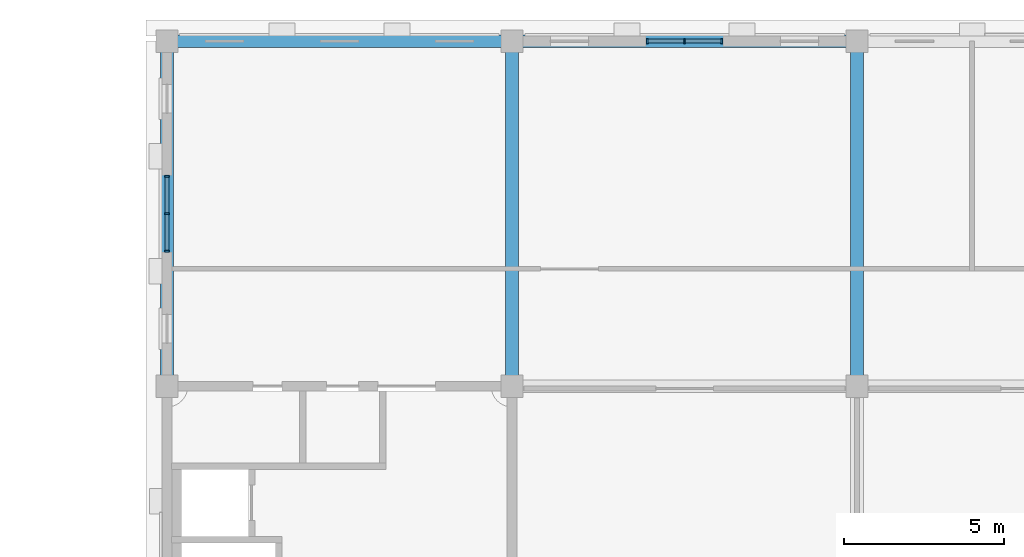
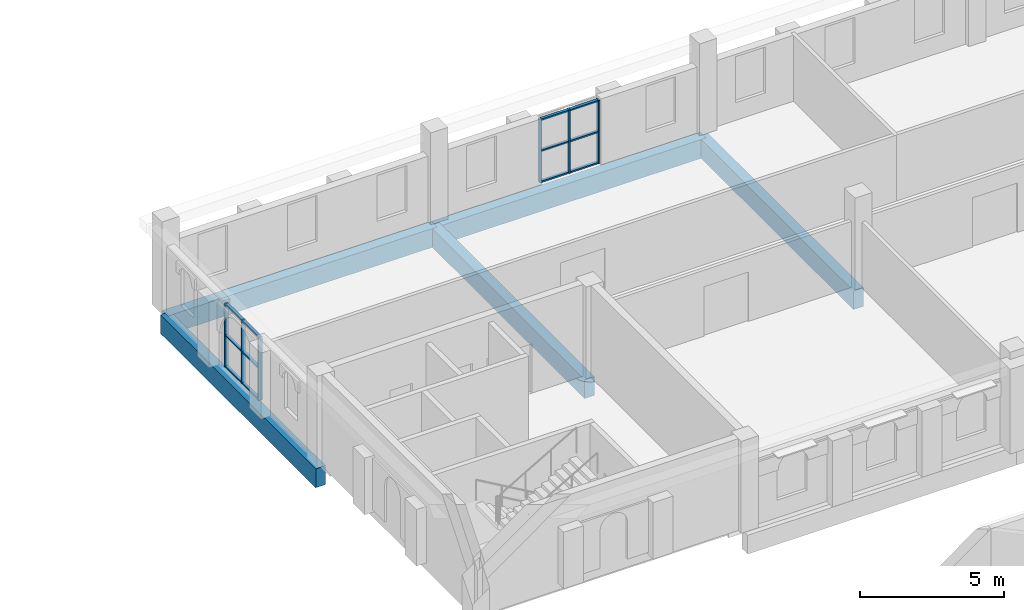
# One storey, part 8 of 32: 18 members, 5 beams, 2 elements without a shape of their own.
"""IFC4 building model written with IfcOpenShell, lengths in metres."""

from ifc_helpers import new_model, si_unit, direction, frame, origin, origin_2d, place, context, subcontext, project, spatial, rectangle, extrude, material, layer, layer_set, material_profile, profile_set, type_object, element, aggregate, save


model = new_model("IFC4")

# Units and contexts
model_context = context("Model", 3, precision=1e-05, world=origin(), true_north=direction((0.0, 1.0)))
body_context = subcontext(model_context, "Body", "Model", "MODEL_VIEW")
ifc_project = project(units=[si_unit("LENGTHUNIT", "METRE"), si_unit("AREAUNIT", "SQUARE_METRE"), si_unit("VOLUMEUNIT", "CUBIC_METRE"), si_unit("PLANEANGLEUNIT", "RADIAN"), si_unit("MASSUNIT", "GRAM", prefix="KILO")], contexts=[model_context])

# Site, building, storey
site_placement = place(None, origin())
site = spatial("IfcSite", under=ifc_project, at=site_placement, CompositionType="ELEMENT")
building_placement = place(site_placement, origin())
building = spatial("IfcBuilding", under=site, at=building_placement, Name="Magnolia Steps Interchange", CompositionType="ELEMENT")
storey_placement = place(building_placement, frame((0.0, 0.0, 16.5)))
storey = spatial("IfcBuildingStorey", under=building, at=storey_placement, Name="L04", CompositionType="ELEMENT", Elevation=16.5)

# Curtain wall, members
ifc_material_1 = material(Name="Powder-coated aluminium and glass", Category="aluminium")
ifc_layer = layer(ifc_material_1, 0.199951171875)
ifc_layer_set = layer_set([ifc_layer], Name="Glazed central bay curtain wall")
curtain_wall_type = type_object("IfcCurtainWallType", Name="Glazed central bay curtain wall", PredefinedType="NOTDEFINED", material=ifc_layer_set)
curtain_wall_1_placement = place(storey_placement, origin())
curtain_wall_1 = element("IfcCurtainWall", 1, at=curtain_wall_1_placement, inside=storey, type_object=curtain_wall_type, Name="Operations building north wall L04 glazing 2", PredefinedType="NOTDEFINED")
ifc_material_2 = material(Name="White powder-coated aluminium", Category="aluminium")
ifc_material_profile_1 = material_profile(ifc_material_2, rectangle(XDim=0.06005859375, YDim=0.14990234375, at=origin_2d()), Name="Aluminium mullion 60 x 150")
ifc_profile_set_1 = profile_set([ifc_material_profile_1], Name="White powder-coated aluminium")
member_type_1 = type_object("IfcMemberType", Name="Aluminium mullion 60 x 150", PredefinedType="MULLION", material=ifc_profile_set_1)
member_1_placement = place(storey_placement, frame((79.030029296875, 118.0, 0.0), z_axis=(0.0, 0.0, 1.0), x_axis=(1.0, 0.0, 0.0)))
member_1 = element("IfcMember", 2, at=member_1_placement, type_object=member_type_1, Name="CW2 mullion 1", PredefinedType="MULLION", context=body_context, shape_type="SweptSolid", body=[
    extrude(rectangle(XDim=0.06005859375, YDim=0.14990234375, at=origin_2d()), origin(), (0.0, 0.0, 1.0), 2.699951171875),
])
member_2_placement = place(storey_placement, frame((80.199951171875, 118.0, 0.0), z_axis=(0.0, 0.0, 1.0), x_axis=(1.0, 0.0, 0.0)))
member_2 = element("IfcMember", 3, at=member_2_placement, type_object=member_type_1, Name="CW2 mullion 2", PredefinedType="MULLION", context=body_context, shape_type="SweptSolid", body=[
    extrude(rectangle(XDim=0.06005859375, YDim=0.14990234375, at=origin_2d()), origin(), (0.0, 0.0, 1.0), 2.699951171875),
])
member_3_placement = place(storey_placement, frame((81.3701171875, 118.0, 0.0), z_axis=(0.0, 0.0, 1.0), x_axis=(1.0, 0.0, 0.0)))
member_3 = element("IfcMember", 4, at=member_3_placement, type_object=member_type_1, Name="CW2 mullion 3", PredefinedType="MULLION", context=body_context, shape_type="SweptSolid", body=[
    extrude(rectangle(XDim=0.06005859375, YDim=0.14990234375, at=origin_2d()), origin(), (0.0, 0.0, 1.0), 2.699951171875),
])

curtain_wall_2_placement = place(storey_placement, origin())
curtain_wall_2 = element("IfcCurtainWall", 5, at=curtain_wall_2_placement, inside=storey, type_object=curtain_wall_type, Name="Operations building west wall L04 glazing 2", PredefinedType="NOTDEFINED")
member_4_placement = place(storey_placement, frame((64.0, 111.429931640625, 0.0), z_axis=(0.0, 0.0, 1.0), x_axis=(0.0, 1.0, 0.0)))
member_4 = element("IfcMember", 6, at=member_4_placement, type_object=member_type_1, Name="CW2 mullion 1", PredefinedType="MULLION", context=body_context, shape_type="SweptSolid", body=[
    extrude(rectangle(XDim=0.06005859375, YDim=0.14990234375, at=origin_2d()), origin(), (0.0, 0.0, 1.0), 2.699951171875),
])
member_5_placement = place(storey_placement, frame((64.0, 112.60009765625, 0.0), z_axis=(0.0, 0.0, 1.0), x_axis=(0.0, 1.0, 0.0)))
member_5 = element("IfcMember", 7, at=member_5_placement, type_object=member_type_1, Name="CW2 mullion 2", PredefinedType="MULLION", context=body_context, shape_type="SweptSolid", body=[
    extrude(rectangle(XDim=0.06005859375, YDim=0.14990234375, at=origin_2d()), origin(), (0.0, 0.0, 1.0), 2.699951171875),
])
member_6_placement = place(storey_placement, frame((64.0, 113.77001953125, 0.0), z_axis=(0.0, 0.0, 1.0), x_axis=(0.0, 1.0, 0.0)))
member_6 = element("IfcMember", 8, at=member_6_placement, type_object=member_type_1, Name="CW2 mullion 3", PredefinedType="MULLION", context=body_context, shape_type="SweptSolid", body=[
    extrude(rectangle(XDim=0.06005859375, YDim=0.14990234375, at=origin_2d()), origin(), (0.0, 0.0, 1.0), 2.699951171875),
])

# Member
ifc_material_3 = material(Name="White powder-coated aluminium", Category="aluminium")
ifc_material_profile_2 = material_profile(ifc_material_3, rectangle(XDim=0.06005859375, YDim=0.1201171875, at=origin_2d()), Name="Aluminium transom 60 x 120")
ifc_profile_set_2 = profile_set([ifc_material_profile_2], Name="White powder-coated aluminium")
member_type_2 = type_object("IfcMemberType", Name="Aluminium transom 60 x 120", PredefinedType="USERDEFINED", material=ifc_profile_set_2)
member_7_placement = place(storey_placement, frame((79.06005859375, 118.0, 0.030029296875), z_axis=(1.0, 0.0, 0.0), x_axis=(0.0, 0.0, 1.0)))
member_7 = element("IfcMember", 9, at=member_7_placement, type_object=member_type_2, Name="CW2 transom 1.1", ObjectType="TRANSOM", PredefinedType="USERDEFINED", context=body_context, shape_type="SweptSolid", body=[
    extrude(rectangle(XDim=0.06005859375, YDim=0.1201171875, at=origin_2d()), origin(), (0.0, 0.0, 1.0), 1.10986328125),
])

member_8_placement = place(storey_placement, frame((79.06005859375, 118.0, 1.35009765625), z_axis=(1.0, 0.0, 0.0), x_axis=(0.0, 0.0, 1.0)))
member_8 = element("IfcMember", 10, at=member_8_placement, type_object=member_type_2, Name="CW2 transom 1.2", ObjectType="TRANSOM", PredefinedType="USERDEFINED", context=body_context, shape_type="SweptSolid", body=[
    extrude(rectangle(XDim=0.06005859375, YDim=0.1201171875, at=origin_2d()), origin(), (0.0, 0.0, 1.0), 1.10986328125),
])

member_9_placement = place(storey_placement, frame((79.06005859375, 118.0, 2.669921875), z_axis=(1.0, 0.0, 0.0), x_axis=(0.0, 0.0, 1.0)))
member_9 = element("IfcMember", 11, at=member_9_placement, type_object=member_type_2, Name="CW2 transom 1.3", ObjectType="TRANSOM", PredefinedType="USERDEFINED", context=body_context, shape_type="SweptSolid", body=[
    extrude(rectangle(XDim=0.06005859375, YDim=0.1201171875, at=origin_2d()), origin(), (0.0, 0.0, 1.0), 1.10986328125),
])

member_10_placement = place(storey_placement, frame((80.22998046875, 118.0, 0.030029296875), z_axis=(1.0, 0.0, 0.0), x_axis=(0.0, 0.0, 1.0)))
member_10 = element("IfcMember", 12, at=member_10_placement, type_object=member_type_2, Name="CW2 transom 2.1", ObjectType="TRANSOM", PredefinedType="USERDEFINED", context=body_context, shape_type="SweptSolid", body=[
    extrude(rectangle(XDim=0.06005859375, YDim=0.1201171875, at=origin_2d()), origin(), (0.0, 0.0, 1.0), 1.110107421875),
])

member_11_placement = place(storey_placement, frame((80.22998046875, 118.0, 1.35009765625), z_axis=(1.0, 0.0, 0.0), x_axis=(0.0, 0.0, 1.0)))
member_11 = element("IfcMember", 13, at=member_11_placement, type_object=member_type_2, Name="CW2 transom 2.2", ObjectType="TRANSOM", PredefinedType="USERDEFINED", context=body_context, shape_type="SweptSolid", body=[
    extrude(rectangle(XDim=0.06005859375, YDim=0.1201171875, at=origin_2d()), origin(), (0.0, 0.0, 1.0), 1.110107421875),
])

member_12_placement = place(storey_placement, frame((80.22998046875, 118.0, 2.669921875), z_axis=(1.0, 0.0, 0.0), x_axis=(0.0, 0.0, 1.0)))
member_12 = element("IfcMember", 14, at=member_12_placement, type_object=member_type_2, Name="CW2 transom 2.3", ObjectType="TRANSOM", PredefinedType="USERDEFINED", context=body_context, shape_type="SweptSolid", body=[
    extrude(rectangle(XDim=0.06005859375, YDim=0.1201171875, at=origin_2d()), origin(), (0.0, 0.0, 1.0), 1.110107421875),
])

aggregate(curtain_wall_1, [member_1, member_2, member_3, member_7, member_8, member_9, member_10, member_11, member_12])

member_13_placement = place(storey_placement, frame((64.0, 111.4599609375, 0.030029296875), z_axis=(0.0, 1.0, 0.0), x_axis=(0.0, 0.0, 1.0)))
member_13 = element("IfcMember", 15, at=member_13_placement, type_object=member_type_2, Name="CW2 transom 1.1", ObjectType="TRANSOM", PredefinedType="USERDEFINED", context=body_context, shape_type="SweptSolid", body=[
    extrude(rectangle(XDim=0.06005859375, YDim=0.1201171875, at=origin_2d()), origin(), (0.0, 0.0, 1.0), 1.110107421875),
])

member_14_placement = place(storey_placement, frame((64.0, 111.4599609375, 1.35009765625), z_axis=(0.0, 1.0, 0.0), x_axis=(0.0, 0.0, 1.0)))
member_14 = element("IfcMember", 16, at=member_14_placement, type_object=member_type_2, Name="CW2 transom 1.2", ObjectType="TRANSOM", PredefinedType="USERDEFINED", context=body_context, shape_type="SweptSolid", body=[
    extrude(rectangle(XDim=0.06005859375, YDim=0.1201171875, at=origin_2d()), origin(), (0.0, 0.0, 1.0), 1.110107421875),
])

member_15_placement = place(storey_placement, frame((64.0, 111.4599609375, 2.669921875), z_axis=(0.0, 1.0, 0.0), x_axis=(0.0, 0.0, 1.0)))
member_15 = element("IfcMember", 17, at=member_15_placement, type_object=member_type_2, Name="CW2 transom 1.3", ObjectType="TRANSOM", PredefinedType="USERDEFINED", context=body_context, shape_type="SweptSolid", body=[
    extrude(rectangle(XDim=0.06005859375, YDim=0.1201171875, at=origin_2d()), origin(), (0.0, 0.0, 1.0), 1.110107421875),
])

member_16_placement = place(storey_placement, frame((64.0, 112.6298828125, 0.030029296875), z_axis=(0.0, 1.0, 0.0), x_axis=(0.0, 0.0, 1.0)))
member_16 = element("IfcMember", 18, at=member_16_placement, type_object=member_type_2, Name="CW2 transom 2.1", ObjectType="TRANSOM", PredefinedType="USERDEFINED", context=body_context, shape_type="SweptSolid", body=[
    extrude(rectangle(XDim=0.06005859375, YDim=0.1201171875, at=origin_2d()), origin(), (0.0, 0.0, 1.0), 1.110107421875),
])

member_17_placement = place(storey_placement, frame((64.0, 112.6298828125, 1.35009765625), z_axis=(0.0, 1.0, 0.0), x_axis=(0.0, 0.0, 1.0)))
member_17 = element("IfcMember", 19, at=member_17_placement, type_object=member_type_2, Name="CW2 transom 2.2", ObjectType="TRANSOM", PredefinedType="USERDEFINED", context=body_context, shape_type="SweptSolid", body=[
    extrude(rectangle(XDim=0.06005859375, YDim=0.1201171875, at=origin_2d()), origin(), (0.0, 0.0, 1.0), 1.110107421875),
])

member_18_placement = place(storey_placement, frame((64.0, 112.6298828125, 2.669921875), z_axis=(0.0, 1.0, 0.0), x_axis=(0.0, 0.0, 1.0)))
member_18 = element("IfcMember", 20, at=member_18_placement, type_object=member_type_2, Name="CW2 transom 2.3", ObjectType="TRANSOM", PredefinedType="USERDEFINED", context=body_context, shape_type="SweptSolid", body=[
    extrude(rectangle(XDim=0.06005859375, YDim=0.1201171875, at=origin_2d()), origin(), (0.0, 0.0, 1.0), 1.110107421875),
])

aggregate(curtain_wall_2, [member_4, member_5, member_6, member_13, member_14, member_15, member_16, member_17, member_18])

# Beams
ifc_material_4 = material(Name="Concrete C40", Category="concrete")
ifc_material_profile_3 = material_profile(ifc_material_4, rectangle(XDim=0.39990234375, YDim=0.800048828125, at=origin_2d()), Name="RC400x800")
ifc_profile_set_3 = profile_set([ifc_material_profile_3], Name="Concrete C40")
beam_type = type_object("IfcBeamType", Name="RC beam 400x800", PredefinedType="BEAM", material=ifc_profile_set_3)
for number, where, z_axis, x_axis, name in (
    (21, (64.0, 118.0, -0.699951171875), (1.0, 0.0, 0.0), (0.0, 1.0, 0.0), "Beam L04 K 6-7"),
    (22, (74.800048828125, 118.0, -0.699951171875), (1.0, 0.0, 0.0), (0.0, 1.0, 0.0), "Beam L04 K 7-8"),
    (23, (64.0, 107.199951171875, -0.699951171875), (0.0, 1.0, 0.0), (-1.0, 0.0, 0.0), "Beam L04 6 J-K"),
    (24, (74.800048828125, 107.199951171875, -0.699951171875), (0.0, 1.0, 0.0), (-1.0, 0.0, 0.0), "Beam L04 7 J-K"),
    (25, (85.60009765625, 107.199951171875, -0.699951171875), (0.0, 1.0, 0.0), (-1.0, 0.0, 0.0), "Beam L04 8 J-K"),
):
    element("IfcBeam", number, at=place(storey_placement, frame(where, z_axis=z_axis, x_axis=x_axis)), inside=storey, type_object=beam_type, Name=name, PredefinedType="BEAM", context=body_context, shape_type="SweptSolid", body=[
        extrude(rectangle(XDim=0.39990234375, YDim=0.800048828125, at=origin_2d()), origin(), (0.0, 0.0, 1.0), 10.800048828125),
    ])

save(model, "model.ifc")
